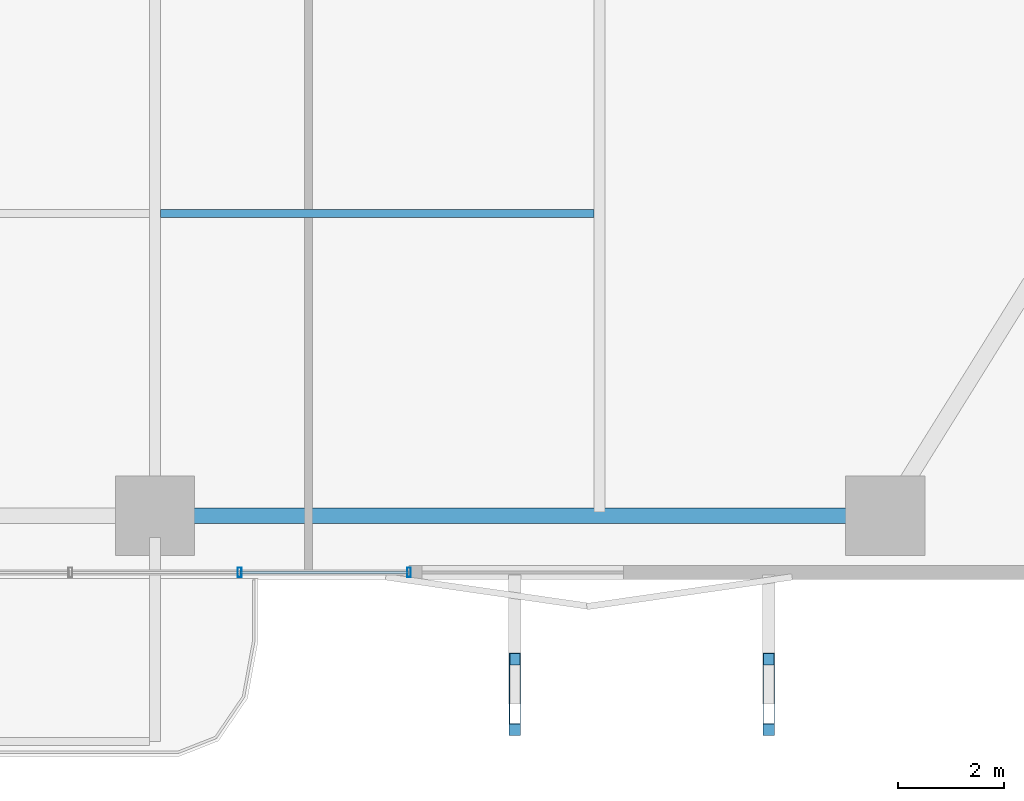
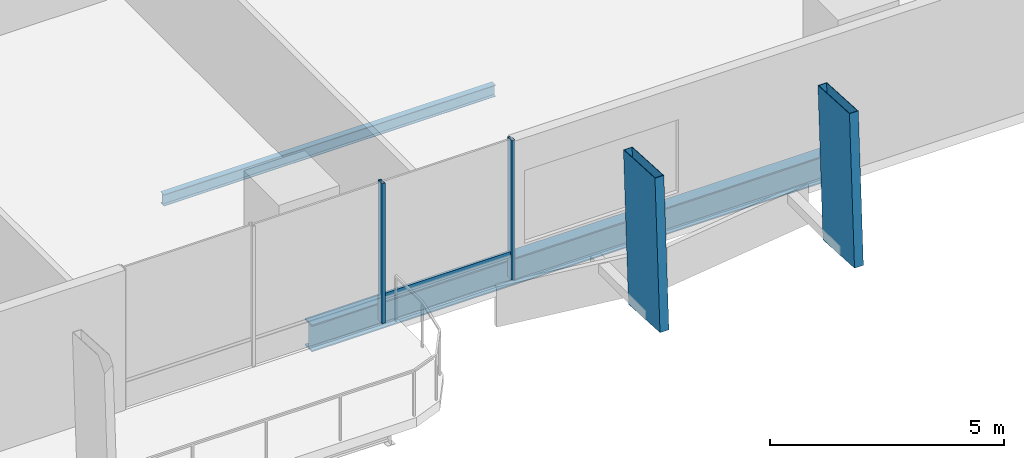
# One storey, part 6 of 23: 5 members, 2 beams, 1 element without a shape of its own.
"""IFC4 building model written with IfcOpenShell, lengths in metres."""

import ifcopenshell
import ifcopenshell.guid

model = None  # the IFC model being written
_history = None  # IfcOwnerHistory: only IFC2X3 demands one
_inside = {}  # id of a spatial element -> (the spatial element, [elements in it])
_under = {}  # id of a project, library or spatial element -> (it, [spatial elements below it])
_declared = {}  # id of a project -> (the project, [libraries it declares])
_typed = {}  # id of a type object -> (the type object, [elements of that type])
_made_of = {}  # id of a material, layer set ... -> (it, [elements and type objects made of it])


def new_model(schema):
    """Start an empty IFC model of exactly this schema.

    Asked for "IFC4X3", IfcOpenShell would pick the latest addendum, in which some entities
    have other attributes; the version numbers below select the first issue.
    IFC2X3 requires an IfcOwnerHistory on every rooted entity: one is made here for all.
    """
    global model, _history
    if schema == "IFC4X3":
        model = ifcopenshell.file(schema_version=(4, 3, 0, 0))
    else:
        model = ifcopenshell.file(schema=schema)
    _inside.clear()
    _under.clear()
    _declared.clear()
    _typed.clear()
    _made_of.clear()
    _history = None
    if model.schema == "IFC2X3":
        org = make("IfcOrganization", Name="unknown")
        user = make(
            "IfcPersonAndOrganization",
            ThePerson=make("IfcPerson", FamilyName="unknown"),
            TheOrganization=org,
        )
        app = make(
            "IfcApplication",
            ApplicationDeveloper=org,
            Version="unknown",
            ApplicationFullName="unknown",
            ApplicationIdentifier="unknown",
        )
        _history = make(
            "IfcOwnerHistory",
            OwningUser=user,
            OwningApplication=app,
            ChangeAction="ADDED",
            CreationDate=0,
        )
    return model


def make(cls, **values):
    """One entity of the class cls with the attributes given. An attribute that is None is left unset."""
    return model.create_entity(
        cls, **{name: value for name, value in values.items() if value is not None}
    )


def rooted(cls, **values):
    """An entity with a GlobalId (a new one), such as an element, a storey or a relation."""
    return make(cls, GlobalId=ifcopenshell.guid.new(), OwnerHistory=_history, **values)


def si_unit(unit_type, name, prefix=None):
    """IfcSIUnit, for example si_unit("LENGTHUNIT", "METRE", prefix="MILLI")."""
    return make("IfcSIUnit", UnitType=unit_type, Prefix=prefix, Name=name)


def assignment(units):
    """IfcUnitAssignment: the units of a project."""
    return None if units is None else make("IfcUnitAssignment", Units=units)


def point(xyz):
    """IfcCartesianPoint."""
    return None if xyz is None else make("IfcCartesianPoint", Coordinates=xyz)


def direction(xyz):
    """IfcDirection."""
    return None if xyz is None else make("IfcDirection", DirectionRatios=xyz)


def frame(location, z_axis=None, x_axis=None):
    """IfcAxis2Placement3D, a coordinate frame: its origin and axes. An axis left out is left unset."""
    return make(
        "IfcAxis2Placement3D",
        Location=point(location),
        Axis=direction(z_axis),
        RefDirection=direction(x_axis),
    )


def frame_2d(location, x_axis=None):
    """IfcAxis2Placement2D, a coordinate frame in the plane: its origin and x axis."""
    return make(
        "IfcAxis2Placement2D", Location=point(location), RefDirection=direction(x_axis)
    )


def origin():
    """The frame at (0, 0, 0) with its axes left unset."""
    return frame((0.0, 0.0, 0.0))


def origin_2d():
    """The frame at (0, 0) in the plane with its x axis left unset."""
    return frame_2d((0.0, 0.0))


def place(relative_to, where):
    """IfcLocalPlacement: puts the frame where relative to a parent placement (None: the world)."""
    return make(
        "IfcLocalPlacement", PlacementRelTo=relative_to, RelativePlacement=where
    )


def context(
    kind, dimensions, precision=None, world=None, true_north=None, identifier=None
):
    """IfcGeometricRepresentationContext, for example the 3D "Model" context."""
    return make(
        "IfcGeometricRepresentationContext",
        ContextIdentifier=identifier,
        ContextType=kind,
        CoordinateSpaceDimension=dimensions,
        Precision=precision,
        WorldCoordinateSystem=world,
        TrueNorth=true_north,
    )


def subcontext(parent, identifier, kind, view, scale=None):
    """IfcGeometricRepresentationSubContext, for example "Body" below "Model"."""
    return make(
        "IfcGeometricRepresentationSubContext",
        ContextIdentifier=identifier,
        ContextType=kind,
        ParentContext=parent,
        TargetScale=scale,
        TargetView=view,
    )


def project(units=None, contexts=None):
    """IfcProject with its units and contexts."""
    return rooted(
        "IfcProject",
        Name="project",
        RepresentationContexts=contexts,
        UnitsInContext=assignment(units),
    )


def spatial(cls, under=None, at=None, **own):
    """A site, building, storey or space (cls), placed at a placement, below another one or the project."""
    s = rooted(cls, ObjectPlacement=at, **own)
    if under is not None:
        _under.setdefault(under.id(), (under, []))[1].append(s)
    return s


def profile(cls, at=None, kind="AREA", **sizes):
    """A parametric profile (cls). Its sizes go by their IFC names, for example OverallWidth=200.0."""
    return make(cls, ProfileType=kind, Position=at, **sizes)


def hollow_rectangle(**sizes):
    """IfcRectangleHollowProfileDef."""
    return profile("IfcRectangleHollowProfileDef", **sizes)


def i_section(**sizes):
    """IfcIShapeProfileDef."""
    return profile("IfcIShapeProfileDef", **sizes)


def extrude(swept, where, along, depth):
    """IfcExtrudedAreaSolid: the profile swept, set in the frame where, extruded along a direction by depth."""
    return make(
        "IfcExtrudedAreaSolid",
        SweptArea=swept,
        Position=where,
        ExtrudedDirection=direction(along),
        Depth=depth,
    )


def shape(context_of_items, identifier, shape_type, items):
    """IfcShapeRepresentation: the items that make up one representation, for example the "Body"."""
    return make(
        "IfcShapeRepresentation",
        ContextOfItems=context_of_items,
        RepresentationIdentifier=identifier,
        RepresentationType=shape_type,
        Items=items,
    )


def material(Name=None, Category=None):
    """IfcMaterial."""
    return make("IfcMaterial", Name=Name, Category=Category)


def layer(
    of_material, thickness, ventilated=None, Name=None, Category=None, Priority=None
):
    """IfcMaterialLayer: one layer of a wall or slab, of a material (None: an air gap)."""
    return make(
        "IfcMaterialLayer",
        Material=of_material,
        LayerThickness=thickness,
        IsVentilated=ventilated,
        Name=Name,
        Category=Category,
        Priority=Priority,
    )


def layer_set(layers, Name=None):
    """IfcMaterialLayerSet."""
    return make("IfcMaterialLayerSet", MaterialLayers=layers, LayerSetName=Name)


def material_profile(
    of_material, cross_section, Name=None, Category=None, Priority=None
):
    """IfcMaterialProfile: a cross section and its material."""
    return make(
        "IfcMaterialProfile",
        Name=Name,
        Material=of_material,
        Profile=cross_section,
        Priority=Priority,
        Category=Category,
    )


def profile_set(profiles, Name=None, composite=None):
    """IfcMaterialProfileSet."""
    return make(
        "IfcMaterialProfileSet",
        Name=Name,
        MaterialProfiles=profiles,
        CompositeProfile=composite,
    )


def made_of(thing, what):
    """Note that an element or type object is made of a material, layer set ...; save() writes the relation."""
    if what is not None:
        _made_of.setdefault(what.id(), (what, []))[1].append(thing)
    return thing


def type_object(cls, material=None, **own):
    """A type object (cls), such as IfcWallType, which elements share."""
    return made_of(rooted(cls, **own), material)


def element(
    cls,
    number,
    at=None,
    inside=None,
    cuts=None,
    type_object=None,
    material=None,
    context=None,
    identifier="Body",
    shape_type=None,
    held_by="IfcProductDefinitionShape",
    body=None,
    shapes=None,
    **own,
):
    """One element of the class cls, such as IfcWall. Its Tag is "e" and its number.

    at: its placement. inside: the storey or other place that contains it. cuts: it is an
    opening in that element (IfcRelVoidsElement). A single representation is given by context,
    identifier, shape_type and body (its items); several are given by shapes. held_by: the class
    of the entity that holds the representations. save() writes the other relations.
    """
    e = rooted(cls, Tag="e%d" % number, ObjectPlacement=at, **own)
    if body is not None:
        shapes = [shape(context, identifier, shape_type, body)]
    if shapes is not None:
        e.Representation = make(held_by, Representations=shapes)
    if inside is not None:
        _inside.setdefault(inside.id(), (inside, []))[1].append(e)
    if cuts is not None:
        rooted(
            "IfcRelVoidsElement", RelatingBuildingElement=cuts, RelatedOpeningElement=e
        )
    if type_object is not None:
        _typed.setdefault(type_object.id(), (type_object, []))[1].append(e)
    return made_of(e, material)


def aggregate(whole, parts):
    """IfcRelAggregates: a whole, such as a stair, and the parts it consists of."""
    return rooted("IfcRelAggregates", RelatingObject=whole, RelatedObjects=parts)


def save(model, path):
    """Write the relations noted so far, then the file.

    IfcRelAggregates (storeys below a building ...), IfcRelContainedInSpatialStructure (elements
    in a storey), IfcRelDefinesByType, IfcRelAssociatesMaterial and IfcRelDeclares: one each for
    every whole, place, type object, material and project.
    """
    for whole, parts in _under.values():
        aggregate(whole, parts)
    for where, things in _inside.values():
        rooted(
            "IfcRelContainedInSpatialStructure",
            RelatedElements=things,
            RelatingStructure=where,
        )
    for kind, things in _typed.values():
        rooted("IfcRelDefinesByType", RelatedObjects=things, RelatingType=kind)
    for what, things in _made_of.values():
        rooted("IfcRelAssociatesMaterial", RelatedObjects=things, RelatingMaterial=what)
    for by, libraries in _declared.values():
        rooted("IfcRelDeclares", RelatingContext=by, RelatedDefinitions=libraries)
    model.write(path)


model = new_model("IFC4")

# Units and contexts
model_context = context("Model", 3, precision=1e-05, world=origin(), true_north=direction((0.0, 1.0)))
body_context = subcontext(model_context, "Body", "Model", "MODEL_VIEW")
ifc_project = project(units=[si_unit("LENGTHUNIT", "METRE"), si_unit("AREAUNIT", "SQUARE_METRE"), si_unit("VOLUMEUNIT", "CUBIC_METRE"), si_unit("PLANEANGLEUNIT", "RADIAN"), si_unit("MASSUNIT", "GRAM", prefix="KILO")], contexts=[model_context])

# Site, building, storey
site_placement = place(None, origin())
site = spatial("IfcSite", under=ifc_project, at=site_placement, CompositionType="ELEMENT")
building_placement = place(site_placement, origin())
building = spatial("IfcBuilding", under=site, at=building_placement, Name="Belovzor Exchange Tower", CompositionType="ELEMENT")
storey_placement = place(building_placement, frame((0.0, 0.0, 53.39990234375)))
storey = spatial("IfcBuildingStorey", under=building, at=storey_placement, Name="L12", CompositionType="ELEMENT", Elevation=53.39990234375)

# Members
ifc_material_1 = material(Name="Extruded Architectural Terracotta on Steel S355 Carrier", Category="masonry")
ifc_material_profile_1 = material_profile(ifc_material_1, hollow_rectangle(XDim=0.219970703125, YDim=1.35009765625, WallThickness=0.013916015625, at=origin_2d()))
ifc_profile_set_1 = profile_set([ifc_material_profile_1], Name="Extruded Architectural Terracotta on Steel S355 Carrier")
member_type_1 = type_object("IfcMemberType", Name="Base Arc Sweeping Terracotta Pylon Fin 1450", PredefinedType="USERDEFINED", material=ifc_profile_set_1)
for number, where, z_axis, x_axis, name in (
    (1, (35.60009765625, -1.37890625, -0.25), (0.0, 0.055251933744, 0.998472445197), (-1.0, 0.0, 0.0), "FIN-TC145 Terracotta Facade Fin L12 S3"),
    (2, (40.39990234375, -1.37890625, -0.25), (0.0, 0.055251933744, 0.998472445197), (-1.0, 0.0, 0.0), "FIN-TC145 Terracotta Facade Fin L12 S4"),
):
    element("IfcMember", number, at=place(storey_placement, frame(where, z_axis=z_axis, x_axis=x_axis)), inside=storey, type_object=member_type_1, Name=name, ObjectType="FIN", PredefinedType="USERDEFINED", context=body_context, shape_type="SweptSolid", body=[
        extrude(hollow_rectangle(XDim=0.219970703125, YDim=1.35009765625, WallThickness=0.013916015625, at=origin_2d()), origin(), (0.0, 0.0, 1.0), 3.906005859375),
    ])

# Beam
ifc_material_2 = material(Name="Steel S355", Category="steel")
ifc_material_profile_2 = material_profile(ifc_material_2, i_section(OverallWidth=0.14990234375, OverallDepth=0.300048828125, WebThickness=0.007080078125, FlangeThickness=0.0107421875, at=origin_2d()))
ifc_profile_set_2 = profile_set([ifc_material_profile_2], Name="Steel S355")
beam_type_1 = type_object("IfcBeamType", Name="Secondary Trim Floor Joist IPE 300", PredefinedType="BEAM", material=ifc_profile_set_2)
beam_1_placement = place(storey_placement, frame((28.905029296875, 7.81494140625, -0.39990234375), z_axis=(1.0, 0.0, 0.0), x_axis=(0.0, 1.0, 0.0)))
element("IfcBeam", 3, at=beam_1_placement, inside=storey, type_object=beam_type_1, Name="FJ-300 Secondary Trim Floor Joist IPE 300", PredefinedType="BEAM", context=body_context, shape_type="SweptSolid", body=[
    extrude(i_section(OverallWidth=0.14990234375, OverallDepth=0.300048828125, WebThickness=0.007080078125, FlangeThickness=0.0107421875, at=origin_2d()), origin(), (0.0, 0.0, 1.0), 8.18994140625),
])

# Curtain wall, members
ifc_material_3 = material(Name="Anodised Aluminium Framing", Category="aluminium")
ifc_layer = layer(ifc_material_3, 0.179931640625)
ifc_layer_set = layer_set([ifc_layer], Name="Anodised Aluminium Framing")
curtain_wall_type = type_object("IfcCurtainWallType", Name="Recessed Loggia Low-Iron Triple-Glazed Curtain Wall", PredefinedType="NOTDEFINED", material=ifc_layer_set)
curtain_wall_placement = place(storey_placement, origin())
curtain_wall = element("IfcCurtainWall", 4, at=curtain_wall_placement, inside=storey, type_object=curtain_wall_type, Name="CW3 Recessed Loggia Low-Iron Triple-Glazed Curtain Wall L12", PredefinedType="NOTDEFINED")
ifc_material_4 = material(Name="Steel S355", Category="steel")
ifc_material_profile_3 = material_profile(ifc_material_4, hollow_rectangle(XDim=0.074951171875, YDim=0.179931640625, WallThickness=0.0048828125, at=origin_2d()))
ifc_profile_set_3 = profile_set([ifc_material_profile_3], Name="Steel S355")
member_type_2 = type_object("IfcMemberType", Name="Thermally Broken Curtain Wall Mullion 180x75", PredefinedType="MULLION", material=ifc_profile_set_3)
member_1_placement = place(storey_placement, frame((33.60009765625, 1.030029296875, 0.0), z_axis=(0.0, 0.0, 1.0), x_axis=(-1.0, 0.0, 0.0)))
member_1 = element("IfcMember", 5, at=member_1_placement, type_object=member_type_2, Name="CW-M180 Curtain Wall Mullion 1", PredefinedType="MULLION", context=body_context, shape_type="SweptSolid", body=[
    extrude(hollow_rectangle(XDim=0.074951171875, YDim=0.179931640625, WallThickness=0.0048828125, at=origin_2d()), origin(), (0.0, 0.0, 1.0), 3.650146484375),
])
member_2_placement = place(storey_placement, frame((30.39990234375, 1.030029296875, 0.0), z_axis=(0.0, 0.0, 1.0), x_axis=(-1.0, 0.0, 0.0)))
member_2 = element("IfcMember", 6, at=member_2_placement, type_object=member_type_2, Name="CW-M180 Curtain Wall Mullion 2", PredefinedType="MULLION", context=body_context, shape_type="SweptSolid", body=[
    extrude(hollow_rectangle(XDim=0.074951171875, YDim=0.179931640625, WallThickness=0.0048828125, at=origin_2d()), origin(), (0.0, 0.0, 1.0), 3.650146484375),
])
ifc_material_5 = material(Name="Steel S355", Category="steel")
ifc_material_profile_4 = material_profile(ifc_material_5, hollow_rectangle(XDim=0.06005859375, YDim=0.14990234375, WallThickness=0.00390625, at=origin_2d()))
ifc_profile_set_4 = profile_set([ifc_material_profile_4], Name="Steel S355")
member_type_3 = type_object("IfcMemberType", Name="Thermally Broken Curtain Wall Transom 150x60", PredefinedType="USERDEFINED", material=ifc_profile_set_4)
member_3_placement = place(storey_placement, frame((33.592041015625, 1.030029296875, 0.650146484375), z_axis=(-1.0, 0.0, 0.0), x_axis=(0.0, -1.0, 0.0)))
member_3 = element("IfcMember", 7, at=member_3_placement, type_object=member_type_3, Name="CW-T150 Curtain Wall Transom 1", ObjectType="TRANSOM", PredefinedType="USERDEFINED", context=body_context, shape_type="SweptSolid", body=[
    extrude(hollow_rectangle(XDim=0.06005859375, YDim=0.14990234375, WallThickness=0.00390625, at=origin_2d()), origin(), (0.0, 0.0, 1.0), 3.18408203125),
])
aggregate(curtain_wall, [member_1, member_2, member_3])

# Beam
ifc_material_6 = material(Name="Steel S355", Category="steel")
ifc_material_profile_5 = material_profile(ifc_material_6, i_section(OverallWidth=0.300048828125, OverallDepth=0.699951171875, WebThickness=0.01708984375, FlangeThickness=0.031982421875, at=origin_2d()))
ifc_profile_set_5 = profile_set([ifc_material_profile_5], Name="Steel S355")
beam_type_2 = type_object("IfcBeamType", Name="Zone 1 Primary Perimeter Girder HEB 700", PredefinedType="BEAM", material=ifc_profile_set_5)
beam_2_placement = place(storey_placement, frame((29.212890625, 2.10009765625, -0.599853515625), z_axis=(1.0, 0.0, 0.0), x_axis=(0.0, 1.0, 0.0)))
element("IfcBeam", 8, at=beam_2_placement, inside=storey, type_object=beam_type_2, Name="FG-Z1 Zone 1 Primary Perimeter Girder HEB 700", PredefinedType="BEAM", context=body_context, shape_type="SweptSolid", body=[
    extrude(i_section(OverallWidth=0.300048828125, OverallDepth=0.699951171875, WebThickness=0.01708984375, FlangeThickness=0.031982421875, at=origin_2d()), origin(), (0.0, 0.0, 1.0), 12.97509765625),
])

save(model, "model.ifc")
